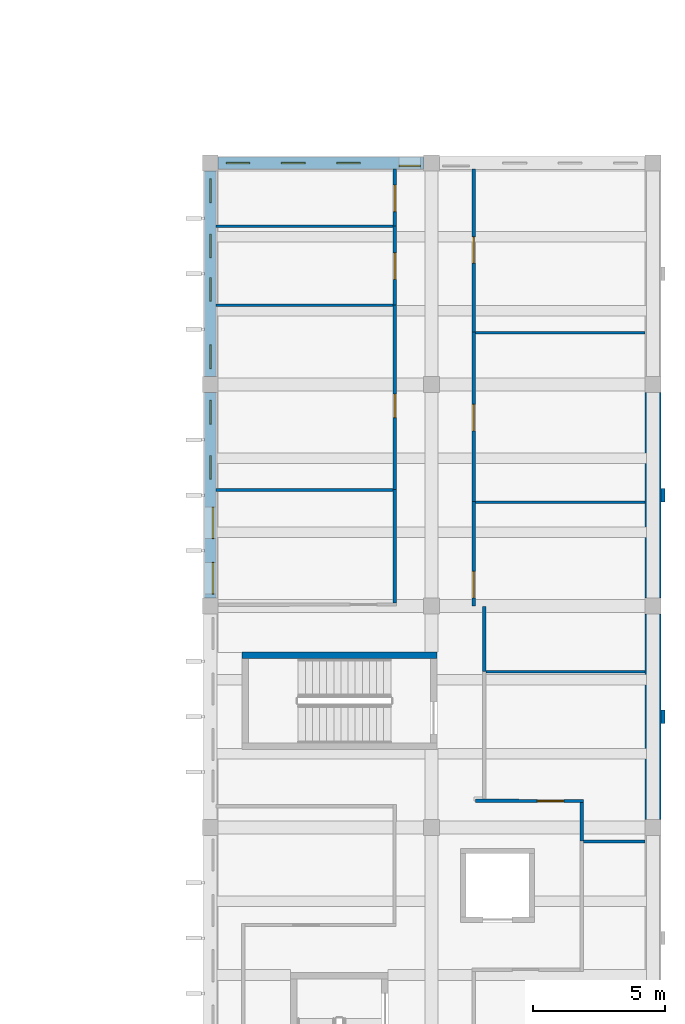
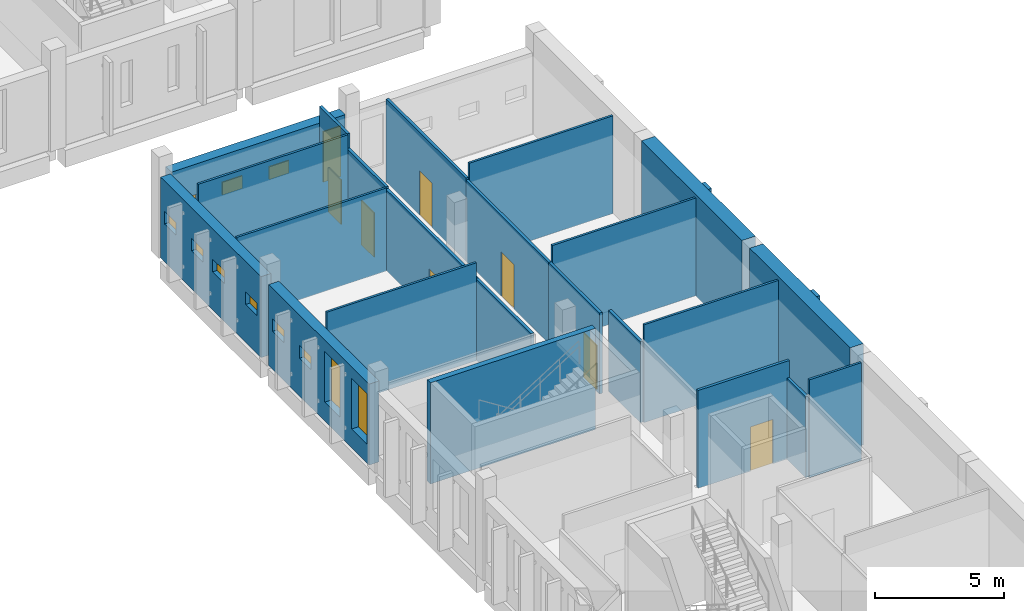
# One storey, part 64 of 119: 25 walls, 12 windows, 7 doors, 19 openings.
"""IFC4 building model written with IfcOpenShell, lengths in metres."""

from ifc_helpers import new_model, si_unit, direction, frame, frame_2d, origin, place, context, subcontext, project, spatial, rectangle, extrude, material, layer, layer_set, type_object, element, fill, save


model = new_model("IFC4")

# Units and contexts
model_context = context("Model", 3, precision=1e-05, world=origin(), true_north=direction((0.0, 1.0)))
body_context = subcontext(model_context, "Body", "Model", "MODEL_VIEW")
ifc_project = project(units=[si_unit("LENGTHUNIT", "METRE"), si_unit("AREAUNIT", "SQUARE_METRE"), si_unit("VOLUMEUNIT", "CUBIC_METRE"), si_unit("PLANEANGLEUNIT", "RADIAN"), si_unit("MASSUNIT", "GRAM", prefix="KILO")], contexts=[model_context])

# Site, building, storey
site_placement = place(None, origin())
site = spatial("IfcSite", under=ifc_project, at=site_placement, CompositionType="ELEMENT")
building_placement = place(site_placement, origin())
building = spatial("IfcBuilding", under=site, at=building_placement, Name="Larchfold Concert Hall", CompositionType="ELEMENT")
storey_placement = place(building_placement, frame((0.0, 0.0, 4.800048828125)))
storey = spatial("IfcBuildingStorey", under=building, at=storey_placement, Name="L01", CompositionType="ELEMENT", Elevation=4.800048828125)

# Wall, opening, door
ifc_material_1 = material(Name="Plasterboard partition on steel studs", Category="steel")
ifc_layer_1 = layer(ifc_material_1, 0.125)
ifc_layer_set_1 = layer_set([ifc_layer_1], Name="Plasterboard partition on steel studs")
wall_type_1 = type_object("IfcWallType", Name="Corridor partition 125 EI 60", PredefinedType="PARTITIONING", material=ifc_layer_set_1)
wall_1_placement = place(storey_placement, frame((94.66162109375, 35.208740234375, 0.0), z_axis=(0.0, 0.0, 1.0), x_axis=(0.999997019568, -0.002441486203, 0.0)))
wall_1 = element("IfcWall", 1, at=wall_1_placement, inside=storey, type_object=wall_type_1, Name="Partition IW0045", PredefinedType="PARTITIONING", context=body_context, shape_type="SweptSolid", body=[
    extrude(rectangle(XDim=4.099853515625, YDim=0.125, at=frame_2d((2.0498046875, 0.0))), origin(), (0.0, 0.0, 1.0), 4.639892578125),
])
opening_1_placement = place(wall_1_placement, frame((2.350830078125, 0.0, 0.0)))
opening_1 = element("IfcOpeningElement", 2, at=opening_1_placement, cuts=wall_1, Name="Opening D-L01-126", PredefinedType="OPENING", context=body_context, shape_type="SweptSolid", body=[
    extrude(rectangle(XDim=1.0, YDim=2.10009765625, at=frame_2d((0.5, 1.050048828125))), frame((0.0, 0.072509765625, 0.0), z_axis=(0.0, -1.0, 0.0), x_axis=(1.0, 0.0, 0.0)), (0.0, 0.0, 1.0), 0.14501953125),
])
ifc_material_2 = material(Name="Timber door leaf", Category="wood")
door_type_1 = type_object("IfcDoorType", Name="Dressing room door 1000 x 2100 FD30S", OperationType="SINGLE_SWING_LEFT", PredefinedType="DOOR", material=ifc_material_2)
door_1_placement = place(opening_1_placement, origin())
door_1 = element("IfcDoor", 3, at=door_1_placement, inside=storey, type_object=door_type_1, Name="Door D-L01-126", OperationType="SINGLE_SWING_RIGHT", OverallHeight=2.10009765625, OverallWidth=1.0, PredefinedType="DOOR", context=body_context, shape_type="SweptSolid", body=[
    extrude(rectangle(XDim=1.0, YDim=2.10009765625, at=frame_2d((0.5, 1.050048828125))), frame((0.0, 0.02490234375, 0.0), z_axis=(0.0, -1.0, 0.0), x_axis=(1.0, 0.0, 0.0)), (0.0, 0.0, 1.0), 0.050048828125),
])
fill(opening_1, door_1)

# Wall
wall_2_placement = place(storey_placement, frame((98.698974609375, 35.136474609375, 0.0), z_axis=(0.0, 0.0, 1.0), x_axis=(0.0, -1.0, 0.0)))
element("IfcWall", 4, at=wall_2_placement, inside=storey, type_object=wall_type_1, Name="Partition IW0046", PredefinedType="PARTITIONING", context=body_context, shape_type="SweptSolid", body=[
    extrude(rectangle(XDim=1.453369140625, YDim=0.125, at=frame_2d((0.7265625, 0.0))), origin(), (0.0, 0.0, 1.0), 3.840087890625),
])

# Wall, opening, door
wall_3_placement = place(storey_placement, frame((94.59912109375, 46.554931640625, 0.0), z_axis=(0.0, 0.0, 1.0), x_axis=(0.0, -1.0, 0.0)))
wall_3 = element("IfcWall", 5, at=wall_3_placement, inside=storey, type_object=wall_type_1, Name="Partition IW0047", PredefinedType="PARTITIONING", context=body_context, shape_type="SweptSolid", body=[
    extrude(rectangle(XDim=3.95849609375, YDim=0.125, at=frame_2d((1.979248046875, 0.0))), origin(), (0.0, 0.0, 1.0), 3.840087890625),
])
opening_2_placement = place(wall_3_placement, frame((2.6474609375, 0.0, 0.0)))
opening_2 = element("IfcOpeningElement", 6, at=opening_2_placement, cuts=wall_3, Name="Opening D-L01-127", PredefinedType="OPENING", context=body_context, shape_type="SweptSolid", body=[
    extrude(rectangle(XDim=1.0, YDim=2.10009765625, at=frame_2d((0.5, 1.050048828125))), frame((0.0, 0.072509765625, 0.0), z_axis=(0.0, -1.0, 0.0), x_axis=(1.0, 0.0, 0.0)), (0.0, 0.0, 1.0), 0.14501953125),
])
door_2_placement = place(opening_2_placement, origin())
door_2 = element("IfcDoor", 7, at=door_2_placement, inside=storey, type_object=door_type_1, Name="Door D-L01-127", OperationType="SINGLE_SWING_RIGHT", OverallHeight=2.10009765625, OverallWidth=1.0, PredefinedType="DOOR", context=body_context, shape_type="SweptSolid", body=[
    extrude(rectangle(XDim=1.0, YDim=2.10009765625, at=frame_2d((0.5, 1.050048828125))), frame((0.0, 0.02490234375, 0.0), z_axis=(0.0, -1.0, 0.0), x_axis=(1.0, 0.0, 0.0)), (0.0, 0.0, 1.0), 0.050048828125),
])
fill(opening_2, door_2)

# Walls
wall_4_placement = place(storey_placement, frame((94.9990234375, 42.58642578125, 0.0), z_axis=(0.0, 0.0, 1.0), x_axis=(0.0, -1.0, 0.0)))
element("IfcWall", 8, at=wall_4_placement, inside=storey, type_object=wall_type_1, Name="Partition IW0048", PredefinedType="PARTITIONING", context=body_context, shape_type="SweptSolid", body=[
    extrude(rectangle(XDim=2.467529296875, YDim=0.125, at=frame_2d((1.23388671875, 0.0))), origin(), (0.0, 0.0, 1.0), 3.840087890625),
])
wall_5_placement = place(storey_placement, frame((91.59912109375, 42.716552734375, 0.0), z_axis=(0.0, 0.0, 1.0), x_axis=(0.000226924598, 0.999999974253, 0.0)))
element("IfcWall", 9, at=wall_5_placement, inside=storey, type_object=wall_type_1, Name="Partition IW0050", PredefinedType="PARTITIONING", context=body_context, shape_type="SweptSolid", body=[
    extrude(rectangle(XDim=4.303466796875, YDim=0.125, at=frame_2d((2.15185546875, 0.0))), origin(), (0.0, 0.0, 1.0), 3.840087890625),
])

# Wall, opening, door
wall_6_placement = place(storey_placement, frame((94.60009765625, 52.989990234375, 0.0), z_axis=(0.0, 0.0, 1.0), x_axis=(-0.000151756581, -0.999999988485, 0.0)))
wall_6 = element("IfcWall", 10, at=wall_6_placement, inside=storey, type_object=wall_type_1, Name="Partition IW0051", PredefinedType="PARTITIONING", context=body_context, shape_type="SweptSolid", body=[
    extrude(rectangle(XDim=6.43505859375, YDim=0.125, at=frame_2d((3.217529296875, 0.0))), origin(), (0.0, 0.0, 1.0), 3.840087890625),
])
opening_3_placement = place(wall_6_placement, frame((2.7470703125, 0.0, 0.0)))
opening_3 = element("IfcOpeningElement", 11, at=opening_3_placement, cuts=wall_6, Name="Opening D-L01-129", PredefinedType="OPENING", context=body_context, shape_type="SweptSolid", body=[
    extrude(rectangle(XDim=1.0, YDim=2.10009765625, at=frame_2d((0.5, 1.050048828125))), frame((0.0, 0.072509765625, 0.0), z_axis=(0.0, -1.0, 0.0), x_axis=(1.0, 0.0, 0.0)), (0.0, 0.0, 1.0), 0.14501953125),
])
door_3_placement = place(opening_3_placement, origin())
door_3 = element("IfcDoor", 12, at=door_3_placement, inside=storey, type_object=door_type_1, Name="Door D-L01-129", OperationType="SINGLE_SWING_LEFT", OverallHeight=2.10009765625, OverallWidth=1.0, PredefinedType="DOOR", context=body_context, shape_type="SweptSolid", body=[
    extrude(rectangle(XDim=1.0, YDim=2.10009765625, at=frame_2d((0.5, 1.050048828125))), frame((0.0, 0.02490234375, 0.0), z_axis=(0.0, -1.0, 0.0), x_axis=(1.0, 0.0, 0.0)), (0.0, 0.0, 1.0), 0.050048828125),
])
fill(opening_3, door_3)

wall_7_placement = place(storey_placement, frame((91.60009765625, 47.02001953125, 0.0), z_axis=(0.0, 0.0, 1.0), x_axis=(0.0, 1.0, 0.0)))
wall_7 = element("IfcWall", 13, at=wall_7_placement, inside=storey, type_object=wall_type_1, Name="Partition IW0052", PredefinedType="PARTITIONING", context=body_context, shape_type="SweptSolid", body=[
    extrude(rectangle(XDim=7.0, YDim=0.125, at=frame_2d((3.5, 0.0))), origin(), (0.0, 0.0, 1.0), 3.840087890625),
])
opening_4_placement = place(wall_7_placement, frame((2.7197265625, 0.0, 0.0)))
opening_4 = element("IfcOpeningElement", 14, at=opening_4_placement, cuts=wall_7, Name="Opening D-L01-130", PredefinedType="OPENING", context=body_context, shape_type="SweptSolid", body=[
    extrude(rectangle(XDim=0.89990234375, YDim=2.10009765625, at=frame_2d((0.449951171875, 1.050048828125))), frame((0.0, 0.072509765625, 0.0), z_axis=(0.0, -1.0, 0.0), x_axis=(1.0, 0.0, 0.0)), (0.0, 0.0, 1.0), 0.14501953125),
])
ifc_material_3 = material(Name="Timber door leaf", Category="wood")
door_type_2 = type_object("IfcDoorType", Name="Public toilet door 900 x 2100 FD30S", OperationType="SINGLE_SWING_LEFT", PredefinedType="DOOR", material=ifc_material_3)
door_4_placement = place(opening_4_placement, origin())
door_4 = element("IfcDoor", 15, at=door_4_placement, inside=storey, type_object=door_type_2, Name="Door D-L01-130", OperationType="SINGLE_SWING_RIGHT", OverallHeight=2.10009765625, OverallWidth=0.89990234375, PredefinedType="DOOR", context=body_context, shape_type="SweptSolid", body=[
    extrude(rectangle(XDim=0.89990234375, YDim=2.10009765625, at=frame_2d((0.449951171875, 1.050048828125))), frame((0.0, 0.02490234375, 0.0), z_axis=(0.0, -1.0, 0.0), x_axis=(1.0, 0.0, 0.0)), (0.0, 0.0, 1.0), 0.050048828125),
])
fill(opening_4, door_4)

wall_8_placement = place(storey_placement, frame((91.60009765625, 54.02001953125, 0.0), z_axis=(0.0, 0.0, 1.0), x_axis=(0.0, 1.0, 0.0)))
wall_8 = element("IfcWall", 16, at=wall_8_placement, inside=storey, type_object=wall_type_1, Name="Partition IW0053", PredefinedType="PARTITIONING", context=body_context, shape_type="SweptSolid", body=[
    extrude(rectangle(XDim=3.0, YDim=0.125, at=frame_2d((1.5, 0.0))), origin(), (0.0, 0.0, 1.0), 3.93994140625),
])
opening_5_placement = place(wall_8_placement, frame((0.969970703125, 0.0, 0.0)))
opening_5 = element("IfcOpeningElement", 17, at=opening_5_placement, cuts=wall_8, Name="Opening D-L01-131", PredefinedType="OPENING", context=body_context, shape_type="SweptSolid", body=[
    extrude(rectangle(XDim=1.0, YDim=2.10009765625, at=frame_2d((0.5, 1.050048828125))), frame((0.0, 0.072509765625, 0.0), z_axis=(0.0, -1.0, 0.0), x_axis=(1.0, 0.0, 0.0)), (0.0, 0.0, 1.0), 0.14501953125),
])
door_5_placement = place(opening_5_placement, origin())
door_5 = element("IfcDoor", 18, at=door_5_placement, inside=storey, type_object=door_type_1, Name="Door D-L01-131", OperationType="SINGLE_SWING_LEFT", OverallHeight=2.10009765625, OverallWidth=1.0, PredefinedType="DOOR", context=body_context, shape_type="SweptSolid", body=[
    extrude(rectangle(XDim=1.0, YDim=2.10009765625, at=frame_2d((0.5, 1.050048828125))), frame((0.0, 0.02490234375, 0.0), z_axis=(0.0, -1.0, 0.0), x_axis=(1.0, 0.0, 0.0)), (0.0, 0.0, 1.0), 0.050048828125),
])
fill(opening_5, door_5)

wall_9_placement = place(storey_placement, frame((91.60009765625, 57.02001953125, 0.0), z_axis=(0.0, 0.0, 1.0), x_axis=(0.0, 1.0, 0.0)))
wall_9 = element("IfcWall", 19, at=wall_9_placement, inside=storey, type_object=wall_type_1, Name="Partition IW0054", PredefinedType="PARTITIONING", context=body_context, shape_type="SweptSolid", body=[
    extrude(rectangle(XDim=2.15478515625, YDim=0.125, at=frame_2d((1.077392578125, 0.0))), origin(), (0.0, 0.0, 1.0), 4.639892578125),
])
opening_6_placement = place(wall_9_placement, frame((0.5400390625, 0.0, 0.0)))
opening_6 = element("IfcOpeningElement", 20, at=opening_6_placement, cuts=wall_9, Name="Opening D-L01-132", PredefinedType="OPENING", context=body_context, shape_type="SweptSolid", body=[
    extrude(rectangle(XDim=1.0, YDim=2.10009765625, at=frame_2d((0.5, 1.050048828125))), frame((0.0, 0.072509765625, 0.0), z_axis=(0.0, -1.0, 0.0), x_axis=(1.0, 0.0, 0.0)), (0.0, 0.0, 1.0), 0.14501953125),
])
door_6_placement = place(opening_6_placement, origin())
door_6 = element("IfcDoor", 21, at=door_6_placement, inside=storey, type_object=door_type_1, Name="Door D-L01-132", OperationType="SINGLE_SWING_RIGHT", OverallHeight=2.10009765625, OverallWidth=1.0, PredefinedType="DOOR", context=body_context, shape_type="SweptSolid", body=[
    extrude(rectangle(XDim=1.0, YDim=2.10009765625, at=frame_2d((0.5, 1.050048828125))), frame((0.0, 0.02490234375, 0.0), z_axis=(0.0, -1.0, 0.0), x_axis=(1.0, 0.0, 0.0)), (0.0, 0.0, 1.0), 0.050048828125),
])
fill(opening_6, door_6)

wall_10_placement = place(storey_placement, frame((94.60009765625, 59.1748046875, 0.0), z_axis=(0.0, 0.0, 1.0), x_axis=(0.0, -1.0, 0.0)))
wall_10 = element("IfcWall", 22, at=wall_10_placement, inside=storey, type_object=wall_type_1, Name="Partition IW0055", PredefinedType="PARTITIONING", context=body_context, shape_type="SweptSolid", body=[
    extrude(rectangle(XDim=6.184814453125, YDim=0.125, at=frame_2d((3.09228515625, 0.0))), origin(), (0.0, 0.0, 1.0), 3.93994140625),
])
opening_7_placement = place(wall_10_placement, frame((2.57470703125, 0.0, 0.0)))
opening_7 = element("IfcOpeningElement", 23, at=opening_7_placement, cuts=wall_10, Name="Opening D-L01-133", PredefinedType="OPENING", context=body_context, shape_type="SweptSolid", body=[
    extrude(rectangle(XDim=1.0, YDim=2.10009765625, at=frame_2d((0.5, 1.050048828125))), frame((0.0, 0.072509765625, 0.0), z_axis=(0.0, -1.0, 0.0), x_axis=(1.0, 0.0, 0.0)), (0.0, 0.0, 1.0), 0.14501953125),
])
door_7_placement = place(opening_7_placement, origin())
door_7 = element("IfcDoor", 24, at=door_7_placement, inside=storey, type_object=door_type_1, Name="Door D-L01-133", OperationType="SINGLE_SWING_RIGHT", OverallHeight=2.10009765625, OverallWidth=1.0, PredefinedType="DOOR", context=body_context, shape_type="SweptSolid", body=[
    extrude(rectangle(XDim=1.0, YDim=2.10009765625, at=frame_2d((0.5, 1.050048828125))), frame((0.0, 0.02490234375, 0.0), z_axis=(0.0, -1.0, 0.0), x_axis=(1.0, 0.0, 0.0)), (0.0, 0.0, 1.0), 0.050048828125),
])
fill(opening_7, door_7)

# Walls
ifc_material_4 = material(Name="Plasterboard partition on steel studs", Category="steel")
ifc_layer_2 = layer(ifc_material_4, 0.10009765625)
ifc_layer_set_2 = layer_set([ifc_layer_2], Name="Plasterboard partition on steel studs")
wall_type_2 = type_object("IfcWallType", Name="Stud partition 100", PredefinedType="PARTITIONING", material=ifc_layer_set_2)
wall_11_placement = place(storey_placement, frame((98.764892578125, 33.6630859375, 0.0), z_axis=(0.0, 0.0, 1.0), x_axis=(1.0, 0.0, 0.0)))
element("IfcWall", 25, at=wall_11_placement, inside=storey, type_object=wall_type_2, Name="Partition IW0059", PredefinedType="PARTITIONING", context=body_context, shape_type="SweptSolid", body=[
    extrude(rectangle(XDim=2.335205078125, YDim=0.10009765625, at=frame_2d((1.16748046875, 0.0))), origin(), (0.0, 0.0, 1.0), 4.639892578125),
])
wall_12_placement = place(storey_placement, frame((95.06494140625, 40.09912109375, 0.0), z_axis=(0.0, 0.0, 1.0), x_axis=(1.0, 0.0, 0.0)))
element("IfcWall", 26, at=wall_12_placement, inside=storey, type_object=wall_type_2, Name="Partition IW0060", PredefinedType="PARTITIONING", context=body_context, shape_type="SweptSolid", body=[
    extrude(rectangle(XDim=6.03515625, YDim=0.10009765625, at=frame_2d((3.017578125, 0.0))), origin(), (0.0, 0.0, 1.0), 4.639892578125),
])
wall_13_placement = place(storey_placement, frame((94.6650390625, 46.534912109375, 0.0), z_axis=(0.0, 0.0, 1.0), x_axis=(1.0, 0.0, 0.0)))
element("IfcWall", 27, at=wall_13_placement, inside=storey, type_object=wall_type_2, Name="Partition IW0061", PredefinedType="PARTITIONING", context=body_context, shape_type="SweptSolid", body=[
    extrude(rectangle(XDim=6.43505859375, YDim=0.10009765625, at=frame_2d((3.217529296875, 0.0))), origin(), (0.0, 0.0, 1.0), 4.639892578125),
])
wall_14_placement = place(storey_placement, frame((84.8251953125, 47.0, 0.0), z_axis=(0.0, 0.0, 1.0), x_axis=(1.0, 0.0, 0.0)))
element("IfcWall", 28, at=wall_14_placement, inside=storey, type_object=wall_type_2, Name="Partition IW0062", PredefinedType="PARTITIONING", context=body_context, shape_type="SweptSolid", body=[
    extrude(rectangle(XDim=6.709716796875, YDim=0.10009765625, at=frame_2d((3.35498046875, 0.0))), origin(), (0.0, 0.0, 1.0), 4.639892578125),
])
wall_15_placement = place(storey_placement, frame((94.6650390625, 52.969970703125, 0.0), z_axis=(0.0, 0.0, 1.0), x_axis=(1.0, 0.0, 0.0)))
element("IfcWall", 29, at=wall_15_placement, inside=storey, type_object=wall_type_2, Name="Partition IW0063", PredefinedType="PARTITIONING", context=body_context, shape_type="SweptSolid", body=[
    extrude(rectangle(XDim=6.43505859375, YDim=0.10009765625, at=frame_2d((3.217529296875, 0.0))), origin(), (0.0, 0.0, 1.0), 4.639892578125),
])
wall_16_placement = place(storey_placement, frame((84.8251953125, 54.0, 0.0), z_axis=(0.0, 0.0, 1.0), x_axis=(1.0, 0.0, 0.0)))
element("IfcWall", 30, at=wall_16_placement, inside=storey, type_object=wall_type_2, Name="Partition IW0064", PredefinedType="PARTITIONING", context=body_context, shape_type="SweptSolid", body=[
    extrude(rectangle(XDim=6.709716796875, YDim=0.10009765625, at=frame_2d((3.35498046875, 0.0))), origin(), (0.0, 0.0, 1.0), 3.93994140625),
])
wall_17_placement = place(storey_placement, frame((84.8251953125, 57.0, 0.0), z_axis=(0.0, 0.0, 1.0), x_axis=(1.0, 0.0, 0.0)))
element("IfcWall", 31, at=wall_17_placement, inside=storey, type_object=wall_type_2, Name="Partition IW0065", PredefinedType="PARTITIONING", context=body_context, shape_type="SweptSolid", body=[
    extrude(rectangle(XDim=6.709716796875, YDim=0.10009765625, at=frame_2d((3.35498046875, 0.0))), origin(), (0.0, 0.0, 1.0), 4.639892578125),
])
ifc_material_5 = material(Name="Concrete C40/50", Category="concrete")
ifc_layer_3 = layer(ifc_material_5, 0.25)
ifc_layer_set_3 = layer_set([ifc_layer_3], Name="Concrete C40/50")
wall_type_3 = type_object("IfcWallType", Name="Wall RC 250 stair core", PredefinedType="SOLIDWALL", material=ifc_layer_set_3)
wall_18_placement = place(storey_placement, frame((85.800048828125, 40.72509765625, 0.0), z_axis=(0.0, 0.0, 1.0), x_axis=(1.0, 0.0, 0.0)))
element("IfcWall", 32, at=wall_18_placement, inside=storey, type_object=wall_type_3, Name="Wall W0089", PredefinedType="SOLIDWALL", context=body_context, shape_type="SweptSolid", body=[
    extrude(rectangle(XDim=7.39990234375, YDim=0.25, at=frame_2d((3.699951171875, 0.0))), origin(), (0.0, 0.0, 1.0), 4.800048828125),
])
ifc_material_6 = material(Name="Concrete C40/50", Category="concrete")
ifc_layer_4 = layer(ifc_material_6, 0.60009765625)
ifc_layer_set_4 = layer_set([ifc_layer_4], Name="Concrete C40/50")
wall_type_4 = type_object("IfcWallType", Name="Wall RC 600 party wall", PredefinedType="SOLIDWALL", material=ifc_layer_set_4)
for number, where, z_axis, x_axis, name in (
    (33, (101.39990234375, 34.5, 0.0), (0.0, 0.0, 1.0), (0.0, 1.0, 0.0), "Wall W0024"),
    (34, (101.39990234375, 42.89990234375, 0.0), (0.0, 0.0, 1.0), (0.0, 1.0, 0.0), "Wall W0025"),
):
    element("IfcWall", number, at=place(storey_placement, frame(where, z_axis=z_axis, x_axis=x_axis)), inside=storey, type_object=wall_type_4, Name=name, PredefinedType="SOLIDWALL", context=body_context, shape_type="SweptSolid", body=[
        extrude(rectangle(XDim=7.800048828125, YDim=0.60009765625, at=frame_2d((3.89990234375, 0.0))), origin(), (0.0, 0.0, 1.0), 4.800048828125),
    ])

# Wall, openings, windows
ifc_material_7 = material(Name="White render on mineral wool and block")
ifc_layer_5 = layer(ifc_material_7, 0.449951171875)
ifc_layer_set_5 = layer_set([ifc_layer_5], Name="White render on mineral wool and block")
wall_type_5 = type_object("IfcWallType", Name="White render infill wall 450", PredefinedType="SOLIDWALL", material=ifc_layer_set_5)
wall_19_placement = place(storey_placement, frame((92.699951171875, 59.39990234375, 0.0), z_axis=(0.0, 0.0, 1.0), x_axis=(-1.0, 0.0, 0.0)))
wall_19 = element("IfcWall", 35, at=wall_19_placement, inside=storey, type_object=wall_type_5, Name="Infill wall W5135", PredefinedType="SOLIDWALL", context=body_context, shape_type="SweptSolid", body=[
    extrude(rectangle(XDim=7.7998046875, YDim=0.449951171875, at=frame_2d((3.89990234375, 0.0))), origin(), (0.0, 0.0, 1.0), 3.840087890625),
])
opening_8_placement = place(wall_19_placement, frame((6.599853515625, 0.0, 1.800048828125)))
opening_8 = element("IfcOpeningElement", 36, at=opening_8_placement, cuts=wall_19, Name="Opening WN-L01-061", PredefinedType="OPENING", context=body_context, shape_type="SweptSolid", body=[
    extrude(rectangle(XDim=0.89990234375, YDim=0.60009765625, at=frame_2d((0.449951171875, 0.300048828125))), frame((0.0, 0.23486328125, 0.0), z_axis=(0.0, -1.0, 0.0), x_axis=(1.0, 0.0, 0.0)), (0.0, 0.0, 1.0), 0.469970703125),
])
opening_9_placement = place(wall_19_placement, frame((4.5, 0.0, 1.800048828125)))
opening_9 = element("IfcOpeningElement", 37, at=opening_9_placement, cuts=wall_19, Name="Opening WN-L01-062", PredefinedType="OPENING", context=body_context, shape_type="SweptSolid", body=[
    extrude(rectangle(XDim=0.89990234375, YDim=0.60009765625, at=frame_2d((0.449951171875, 0.300048828125))), frame((0.0, 0.23486328125, 0.0), z_axis=(0.0, -1.0, 0.0), x_axis=(1.0, 0.0, 0.0)), (0.0, 0.0, 1.0), 0.469970703125),
])
opening_10_placement = place(wall_19_placement, frame((2.39990234375, 0.0, 1.800048828125)))
opening_10 = element("IfcOpeningElement", 38, at=opening_10_placement, cuts=wall_19, Name="Opening WN-L01-063", PredefinedType="OPENING", context=body_context, shape_type="SweptSolid", body=[
    extrude(rectangle(XDim=0.89990234375, YDim=0.60009765625, at=frame_2d((0.449951171875, 0.300048828125))), frame((0.0, 0.23486328125, 0.0), z_axis=(0.0, -1.0, 0.0), x_axis=(1.0, 0.0, 0.0)), (0.0, 0.0, 1.0), 0.469970703125),
])
opening_11_placement = place(wall_19_placement, frame((0.128662109375, 0.0, 0.89990234375)))
opening_11 = element("IfcOpeningElement", 39, at=opening_11_placement, cuts=wall_19, Name="Opening WN-L01-064", PredefinedType="OPENING", context=body_context, shape_type="SweptSolid", body=[
    extrude(rectangle(XDim=0.800048828125, YDim=2.39990234375, at=frame_2d((0.39990234375, 1.199951171875))), frame((0.0, 0.23486328125, 0.0), z_axis=(0.0, -1.0, 0.0), x_axis=(1.0, 0.0, 0.0)), (0.0, 0.0, 1.0), 0.469970703125),
])
ifc_material_8 = material(Name="Anodised graphite aluminium frame with glass", Category="aluminium")
window_type_1 = type_object("IfcWindowType", Name="Slot window 800x2400", PartitioningType="SINGLE_PANEL", PredefinedType="WINDOW", material=ifc_material_8)
window_1_placement = place(opening_11_placement, origin())
window_1 = element("IfcWindow", 40, at=window_1_placement, inside=storey, type_object=window_type_1, Name="Window WN-L01-064", OverallHeight=2.39990234375, OverallWidth=0.800048828125, PartitioningType="SINGLE_PANEL", PredefinedType="WINDOW", context=body_context, shape_type="SweptSolid", body=[
    extrude(rectangle(XDim=0.800048828125, YDim=2.39990234375, at=frame_2d((0.39990234375, 1.199951171875))), frame((0.0, 0.135009765625, 0.0), z_axis=(0.0, -1.0, 0.0), x_axis=(1.0, 0.0, 0.0)), (0.0, 0.0, 1.0), 0.06005859375),
])
fill(opening_11, window_1)
ifc_material_9 = material(Name="Anodised graphite aluminium frame with obscured glass", Category="aluminium")
window_type_2 = type_object("IfcWindowType", Name="Toilet high window 900x600", PartitioningType="SINGLE_PANEL", PredefinedType="WINDOW", material=ifc_material_9)
window_2_placement = place(opening_8_placement, origin())
window_2 = element("IfcWindow", 41, at=window_2_placement, inside=storey, type_object=window_type_2, Name="Window WN-L01-061", OverallHeight=0.60009765625, OverallWidth=0.89990234375, PartitioningType="SINGLE_PANEL", PredefinedType="WINDOW", context=body_context, shape_type="SweptSolid", body=[
    extrude(rectangle(XDim=0.89990234375, YDim=0.60009765625, at=frame_2d((0.449951171875, 0.300048828125))), frame((0.0, 0.034912109375, 0.0), z_axis=(0.0, -1.0, 0.0), x_axis=(1.0, 0.0, 0.0)), (0.0, 0.0, 1.0), 0.06005859375),
])
fill(opening_8, window_2)
window_3_placement = place(opening_9_placement, origin())
window_3 = element("IfcWindow", 42, at=window_3_placement, inside=storey, type_object=window_type_2, Name="Window WN-L01-062", OverallHeight=0.60009765625, OverallWidth=0.89990234375, PartitioningType="SINGLE_PANEL", PredefinedType="WINDOW", context=body_context, shape_type="SweptSolid", body=[
    extrude(rectangle(XDim=0.89990234375, YDim=0.60009765625, at=frame_2d((0.449951171875, 0.300048828125))), frame((0.0, 0.034912109375, 0.0), z_axis=(0.0, -1.0, 0.0), x_axis=(1.0, 0.0, 0.0)), (0.0, 0.0, 1.0), 0.06005859375),
])
fill(opening_9, window_3)
window_4_placement = place(opening_10_placement, origin())
window_4 = element("IfcWindow", 43, at=window_4_placement, inside=storey, type_object=window_type_2, Name="Window WN-L01-063", OverallHeight=0.60009765625, OverallWidth=0.89990234375, PartitioningType="SINGLE_PANEL", PredefinedType="WINDOW", context=body_context, shape_type="SweptSolid", body=[
    extrude(rectangle(XDim=0.89990234375, YDim=0.60009765625, at=frame_2d((0.449951171875, 0.300048828125))), frame((0.0, 0.034912109375, 0.0), z_axis=(0.0, -1.0, 0.0), x_axis=(1.0, 0.0, 0.0)), (0.0, 0.0, 1.0), 0.06005859375),
])
fill(opening_10, window_4)

wall_20_placement = place(storey_placement, frame((84.60009765625, 59.099853515625, 0.0), z_axis=(0.0, 0.0, 1.0), x_axis=(0.0, -1.0, 0.0)))
wall_20 = element("IfcWall", 44, at=wall_20_placement, inside=storey, type_object=wall_type_5, Name="Infill wall W5136", PredefinedType="SOLIDWALL", context=body_context, shape_type="SweptSolid", body=[
    extrude(rectangle(XDim=7.7998046875, YDim=0.449951171875, at=frame_2d((3.89990234375, 0.0))), origin(), (0.0, 0.0, 1.0), 3.840087890625),
])
opening_12_placement = place(wall_20_placement, frame((6.599853515625, 0.0, 1.800048828125)))
opening_12 = element("IfcOpeningElement", 45, at=opening_12_placement, cuts=wall_20, Name="Opening WN-L01-065", PredefinedType="OPENING", context=body_context, shape_type="SweptSolid", body=[
    extrude(rectangle(XDim=0.89990234375, YDim=0.60009765625, at=frame_2d((0.449951171875, 0.300048828125))), frame((0.0, 0.23486328125, 0.0), z_axis=(0.0, -1.0, 0.0), x_axis=(1.0, 0.0, 0.0)), (0.0, 0.0, 1.0), 0.469970703125),
])
opening_13_placement = place(wall_20_placement, frame((4.0498046875, 0.0, 1.800048828125)))
opening_13 = element("IfcOpeningElement", 46, at=opening_13_placement, cuts=wall_20, Name="Opening WN-L01-066", PredefinedType="OPENING", context=body_context, shape_type="SweptSolid", body=[
    extrude(rectangle(XDim=0.89990234375, YDim=0.60009765625, at=frame_2d((0.449951171875, 0.300048828125))), frame((0.0, 0.23486328125, 0.0), z_axis=(0.0, -1.0, 0.0), x_axis=(1.0, 0.0, 0.0)), (0.0, 0.0, 1.0), 0.469970703125),
])
opening_14_placement = place(wall_20_placement, frame((2.39990234375, 0.0, 1.800048828125)))
opening_14 = element("IfcOpeningElement", 47, at=opening_14_placement, cuts=wall_20, Name="Opening WN-L01-067", PredefinedType="OPENING", context=body_context, shape_type="SweptSolid", body=[
    extrude(rectangle(XDim=0.89990234375, YDim=0.60009765625, at=frame_2d((0.449951171875, 0.300048828125))), frame((0.0, 0.23486328125, 0.0), z_axis=(0.0, -1.0, 0.0), x_axis=(1.0, 0.0, 0.0)), (0.0, 0.0, 1.0), 0.469970703125),
])
opening_15_placement = place(wall_20_placement, frame((0.2998046875, 0.0, 1.800048828125)))
opening_15 = element("IfcOpeningElement", 48, at=opening_15_placement, cuts=wall_20, Name="Opening WN-L01-068", PredefinedType="OPENING", context=body_context, shape_type="SweptSolid", body=[
    extrude(rectangle(XDim=0.89990234375, YDim=0.60009765625, at=frame_2d((0.449951171875, 0.300048828125))), frame((0.0, 0.23486328125, 0.0), z_axis=(0.0, -1.0, 0.0), x_axis=(1.0, 0.0, 0.0)), (0.0, 0.0, 1.0), 0.469970703125),
])
window_5_placement = place(opening_12_placement, origin())
window_5 = element("IfcWindow", 49, at=window_5_placement, inside=storey, type_object=window_type_2, Name="Window WN-L01-065", OverallHeight=0.60009765625, OverallWidth=0.89990234375, PartitioningType="SINGLE_PANEL", PredefinedType="WINDOW", context=body_context, shape_type="SweptSolid", body=[
    extrude(rectangle(XDim=0.89990234375, YDim=0.60009765625, at=frame_2d((0.449951171875, 0.300048828125))), frame((0.0, 0.034912109375, 0.0), z_axis=(0.0, -1.0, 0.0), x_axis=(1.0, 0.0, 0.0)), (0.0, 0.0, 1.0), 0.06005859375),
])
fill(opening_12, window_5)
window_6_placement = place(opening_13_placement, origin())
window_6 = element("IfcWindow", 50, at=window_6_placement, inside=storey, type_object=window_type_2, Name="Window WN-L01-066", OverallHeight=0.60009765625, OverallWidth=0.89990234375, PartitioningType="SINGLE_PANEL", PredefinedType="WINDOW", context=body_context, shape_type="SweptSolid", body=[
    extrude(rectangle(XDim=0.89990234375, YDim=0.60009765625, at=frame_2d((0.449951171875, 0.300048828125))), frame((0.0, 0.034912109375, 0.0), z_axis=(0.0, -1.0, 0.0), x_axis=(1.0, 0.0, 0.0)), (0.0, 0.0, 1.0), 0.06005859375),
])
fill(opening_13, window_6)
window_7_placement = place(opening_14_placement, origin())
window_7 = element("IfcWindow", 51, at=window_7_placement, inside=storey, type_object=window_type_2, Name="Window WN-L01-067", OverallHeight=0.60009765625, OverallWidth=0.89990234375, PartitioningType="SINGLE_PANEL", PredefinedType="WINDOW", context=body_context, shape_type="SweptSolid", body=[
    extrude(rectangle(XDim=0.89990234375, YDim=0.60009765625, at=frame_2d((0.449951171875, 0.300048828125))), frame((0.0, 0.034912109375, 0.0), z_axis=(0.0, -1.0, 0.0), x_axis=(1.0, 0.0, 0.0)), (0.0, 0.0, 1.0), 0.06005859375),
])
fill(opening_14, window_7)
window_8_placement = place(opening_15_placement, origin())
window_8 = element("IfcWindow", 52, at=window_8_placement, inside=storey, type_object=window_type_2, Name="Window WN-L01-068", OverallHeight=0.60009765625, OverallWidth=0.89990234375, PartitioningType="SINGLE_PANEL", PredefinedType="WINDOW", context=body_context, shape_type="SweptSolid", body=[
    extrude(rectangle(XDim=0.89990234375, YDim=0.60009765625, at=frame_2d((0.449951171875, 0.300048828125))), frame((0.0, 0.034912109375, 0.0), z_axis=(0.0, -1.0, 0.0), x_axis=(1.0, 0.0, 0.0)), (0.0, 0.0, 1.0), 0.06005859375),
])
fill(opening_15, window_8)

wall_21_placement = place(storey_placement, frame((84.60009765625, 50.699951171875, 0.0), z_axis=(0.0, 0.0, 1.0), x_axis=(0.0, -1.0, 0.0)))
wall_21 = element("IfcWall", 53, at=wall_21_placement, inside=storey, type_object=wall_type_5, Name="Infill wall W5137", PredefinedType="SOLIDWALL", context=body_context, shape_type="SweptSolid", body=[
    extrude(rectangle(XDim=7.7998046875, YDim=0.449951171875, at=frame_2d((3.89990234375, 0.0))), origin(), (0.0, 0.0, 1.0), 3.840087890625),
])
opening_16_placement = place(wall_21_placement, frame((6.449951171875, 0.0, 0.89990234375)))
opening_16 = element("IfcOpeningElement", 54, at=opening_16_placement, cuts=wall_21, Name="Opening WN-L01-069", PredefinedType="OPENING", context=body_context, shape_type="SweptSolid", body=[
    extrude(rectangle(XDim=1.199951171875, YDim=2.39990234375, at=frame_2d((0.60009765625, 1.199951171875))), frame((0.0, 0.23486328125, 0.0), z_axis=(0.0, -1.0, 0.0), x_axis=(1.0, 0.0, 0.0)), (0.0, 0.0, 1.0), 0.469970703125),
])
opening_17_placement = place(wall_21_placement, frame((4.349853515625, 0.0, 0.89990234375)))
opening_17 = element("IfcOpeningElement", 55, at=opening_17_placement, cuts=wall_21, Name="Opening WN-L01-070", PredefinedType="OPENING", context=body_context, shape_type="SweptSolid", body=[
    extrude(rectangle(XDim=1.199951171875, YDim=2.39990234375, at=frame_2d((0.60009765625, 1.199951171875))), frame((0.0, 0.23486328125, 0.0), z_axis=(0.0, -1.0, 0.0), x_axis=(1.0, 0.0, 0.0)), (0.0, 0.0, 1.0), 0.469970703125),
])
opening_18_placement = place(wall_21_placement, frame((2.39990234375, 0.0, 1.800048828125)))
opening_18 = element("IfcOpeningElement", 56, at=opening_18_placement, cuts=wall_21, Name="Opening WN-L01-071", PredefinedType="OPENING", context=body_context, shape_type="SweptSolid", body=[
    extrude(rectangle(XDim=0.89990234375, YDim=0.60009765625, at=frame_2d((0.449951171875, 0.300048828125))), frame((0.0, 0.23486328125, 0.0), z_axis=(0.0, -1.0, 0.0), x_axis=(1.0, 0.0, 0.0)), (0.0, 0.0, 1.0), 0.469970703125),
])
opening_19_placement = place(wall_21_placement, frame((0.300048828125, 0.0, 1.800048828125)))
opening_19 = element("IfcOpeningElement", 57, at=opening_19_placement, cuts=wall_21, Name="Opening WN-L01-072", PredefinedType="OPENING", context=body_context, shape_type="SweptSolid", body=[
    extrude(rectangle(XDim=0.89990234375, YDim=0.60009765625, at=frame_2d((0.449951171875, 0.300048828125))), frame((0.0, 0.23486328125, 0.0), z_axis=(0.0, -1.0, 0.0), x_axis=(1.0, 0.0, 0.0)), (0.0, 0.0, 1.0), 0.469970703125),
])
ifc_material_10 = material(Name="Anodised graphite aluminium frame with glass", Category="aluminium")
window_type_3 = type_object("IfcWindowType", Name="Slot window 1200x2400", PartitioningType="SINGLE_PANEL", PredefinedType="WINDOW", material=ifc_material_10)
window_9_placement = place(opening_16_placement, origin())
window_9 = element("IfcWindow", 58, at=window_9_placement, inside=storey, type_object=window_type_3, Name="Window WN-L01-069", OverallHeight=2.39990234375, OverallWidth=1.199951171875, PartitioningType="SINGLE_PANEL", PredefinedType="WINDOW", context=body_context, shape_type="SweptSolid", body=[
    extrude(rectangle(XDim=1.199951171875, YDim=2.39990234375, at=frame_2d((0.60009765625, 1.199951171875))), frame((0.0, 0.135009765625, 0.0), z_axis=(0.0, -1.0, 0.0), x_axis=(1.0, 0.0, 0.0)), (0.0, 0.0, 1.0), 0.06005859375),
])
fill(opening_16, window_9)
window_10_placement = place(opening_17_placement, origin())
window_10 = element("IfcWindow", 59, at=window_10_placement, inside=storey, type_object=window_type_3, Name="Window WN-L01-070", OverallHeight=2.39990234375, OverallWidth=1.199951171875, PartitioningType="SINGLE_PANEL", PredefinedType="WINDOW", context=body_context, shape_type="SweptSolid", body=[
    extrude(rectangle(XDim=1.199951171875, YDim=2.39990234375, at=frame_2d((0.60009765625, 1.199951171875))), frame((0.0, 0.135009765625, 0.0), z_axis=(0.0, -1.0, 0.0), x_axis=(1.0, 0.0, 0.0)), (0.0, 0.0, 1.0), 0.06005859375),
])
fill(opening_17, window_10)
window_11_placement = place(opening_18_placement, origin())
window_11 = element("IfcWindow", 60, at=window_11_placement, inside=storey, type_object=window_type_2, Name="Window WN-L01-071", OverallHeight=0.60009765625, OverallWidth=0.89990234375, PartitioningType="SINGLE_PANEL", PredefinedType="WINDOW", context=body_context, shape_type="SweptSolid", body=[
    extrude(rectangle(XDim=0.89990234375, YDim=0.60009765625, at=frame_2d((0.449951171875, 0.300048828125))), frame((0.0, 0.034912109375, 0.0), z_axis=(0.0, -1.0, 0.0), x_axis=(1.0, 0.0, 0.0)), (0.0, 0.0, 1.0), 0.06005859375),
])
fill(opening_18, window_11)
window_12_placement = place(opening_19_placement, origin())
window_12 = element("IfcWindow", 61, at=window_12_placement, inside=storey, type_object=window_type_2, Name="Window WN-L01-072", OverallHeight=0.60009765625, OverallWidth=0.89990234375, PartitioningType="SINGLE_PANEL", PredefinedType="WINDOW", context=body_context, shape_type="SweptSolid", body=[
    extrude(rectangle(XDim=0.89990234375, YDim=0.60009765625, at=frame_2d((0.449951171875, 0.300048828125))), frame((0.0, 0.034912109375, 0.0), z_axis=(0.0, -1.0, 0.0), x_axis=(1.0, 0.0, 0.0)), (0.0, 0.0, 1.0), 0.06005859375),
])
fill(opening_19, window_12)

# Walls
ifc_material_11 = material(Name="White render on insulated block")
ifc_layer_6 = layer(ifc_material_11, 0.14990234375)
ifc_layer_set_6 = layer_set([ifc_layer_6], Name="White render on insulated block")
wall_type_6 = type_object("IfcWallType", Name="White render pilaster 150", PredefinedType="SOLIDWALL", material=ifc_layer_set_6)
for number, where, z_axis, x_axis, name in (
    (62, (101.77490234375, 38.14990234375, 0.0), (0.0, 0.0, 1.0), (0.0, 1.0, 0.0), "Pilaster W5349"),
    (63, (101.77490234375, 46.550048828125, 0.0), (0.0, 0.0, 1.0), (0.0, 1.0, 0.0), "Pilaster W5350"),
):
    element("IfcWall", number, at=place(storey_placement, frame(where, z_axis=z_axis, x_axis=x_axis)), inside=storey, type_object=wall_type_6, Name=name, PredefinedType="SOLIDWALL", context=body_context, shape_type="SweptSolid", body=[
        extrude(rectangle(XDim=0.5, YDim=0.14990234375, at=frame_2d((0.25, 0.0))), origin(), (0.0, 0.0, 1.0), 4.800048828125),
    ])

save(model, "model.ifc")
